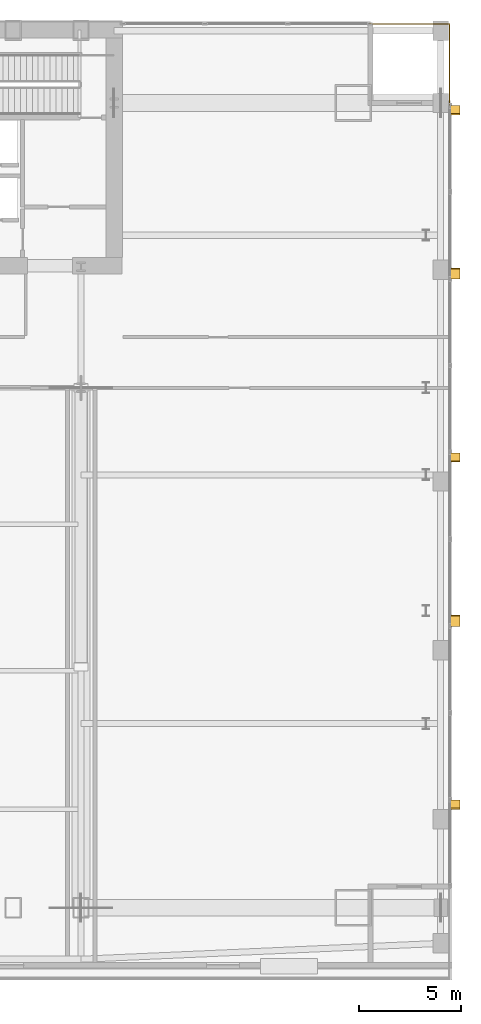
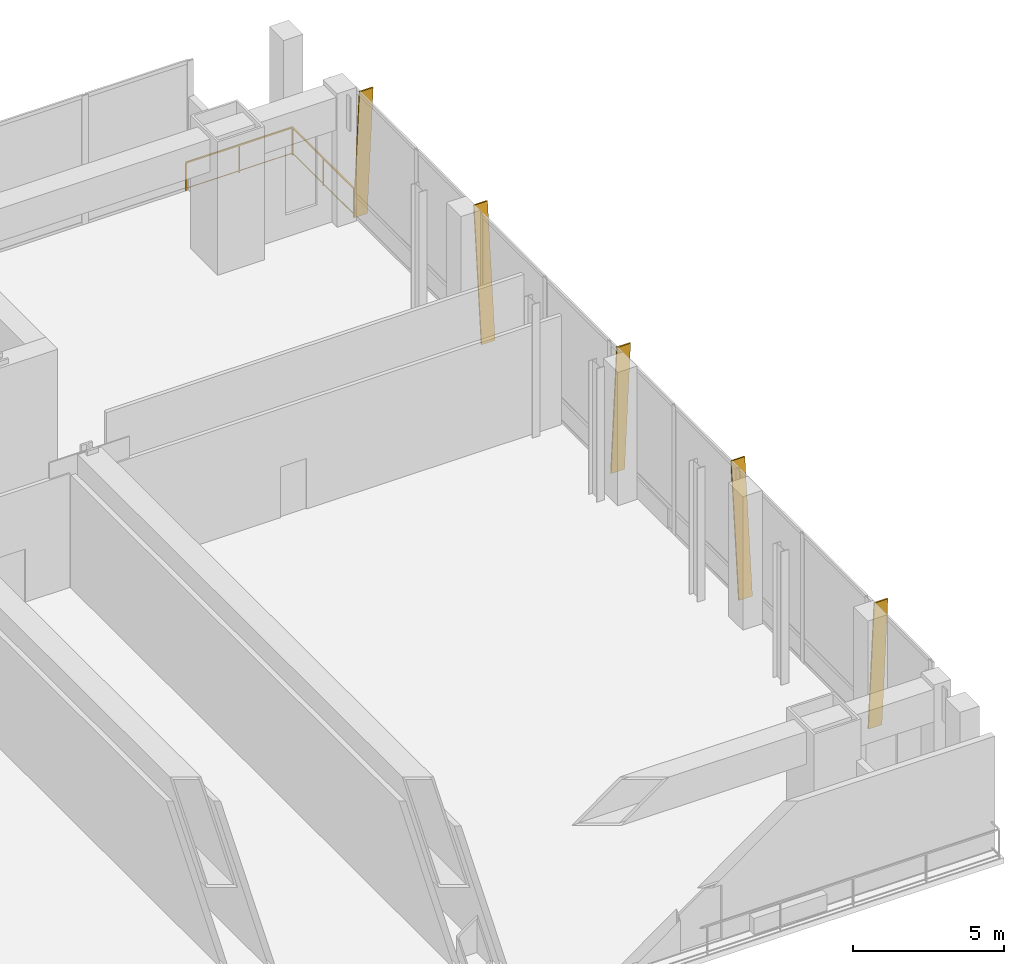
# One storey, part 26 of 26: 5 shading devices, 1 railing.
"""IFC4 building model written with IfcOpenShell, lengths in metres."""

from ifc_helpers import new_model, si_unit, direction, frame, origin, origin_2d, place, context, subcontext, project, spatial, polyline, rectangle, outline, extrude, material, layer, layer_set, type_object, element, save


model = new_model("IFC4")

# Units and contexts
model_context = context("Model", 3, precision=1e-05, world=origin(), true_north=direction((0.0, 1.0)))
body_context = subcontext(model_context, "Body", "Model", "MODEL_VIEW")
ifc_project = project(units=[si_unit("LENGTHUNIT", "METRE"), si_unit("AREAUNIT", "SQUARE_METRE"), si_unit("VOLUMEUNIT", "CUBIC_METRE"), si_unit("PLANEANGLEUNIT", "RADIAN"), si_unit("MASSUNIT", "GRAM", prefix="KILO")], contexts=[model_context])

# Site, building, storey
site_placement = place(None, origin())
site = spatial("IfcSite", under=ifc_project, at=site_placement, CompositionType="ELEMENT")
building_placement = place(site_placement, origin())
building = spatial("IfcBuilding", under=site, at=building_placement, Name="Khoronbel Lancet Exchange", CompositionType="ELEMENT")
storey_placement = place(building_placement, frame((0.0, 0.0, 20.39990234375)))
storey = spatial("IfcBuildingStorey", under=building, at=storey_placement, Name="L04", CompositionType="ELEMENT", Elevation=20.39990234375)

# Railing
ifc_material_1 = material(Name="Bronze-Anodised Stainless Steel", Category="steel")
railing_type = type_object("IfcRailingType", Name="RL-EXT115", PredefinedType="GUARDRAIL", material=ifc_material_1)
railing_placement = place(storey_placement, frame((68.699951171875, 53.580078125, 0.0)))
element("IfcRailing", 1, at=railing_placement, inside=storey, type_object=railing_type, Name="Level L04 north-east colonnade corner loggia guardrail", PredefinedType="GUARDRAIL", context=body_context, shape_type="SweptSolid", body=[
    extrude(rectangle(XDim=0.052001953125, YDim=0.052001953125, at=origin_2d()), frame((0.0, 0.0, 1.1240234375), z_axis=(1.0, 0.0, 0.0), x_axis=(0.0, 1.0, 0.0)), (0.0, 0.0, 1.0), 4.080078125),
    extrude(rectangle(XDim=0.02587890625, YDim=0.02587890625, at=origin_2d()), frame((0.0, 0.0, 0.080078125), z_axis=(1.0, 0.0, 0.0), x_axis=(0.0, 1.0, 0.0)), (0.0, 0.0, 1.0), 4.080078125),
    extrude(rectangle(XDim=0.052001953125, YDim=0.052001953125, at=origin_2d()), frame((4.080078125, 0.0, 1.1240234375), z_axis=(0.0, -1.0, 0.0), x_axis=(1.0, 0.0, 0.0)), (0.0, 0.0, 1.0), 4.080078125),
    extrude(rectangle(XDim=0.02587890625, YDim=0.02587890625, at=origin_2d()), frame((4.080078125, 0.0, 0.080078125), z_axis=(0.0, -1.0, 0.0), x_axis=(1.0, 0.0, 0.0)), (0.0, 0.0, 1.0), 4.080078125),
    extrude(rectangle(XDim=0.0419921875, YDim=0.0419921875, at=origin_2d()), origin(), (0.0, 0.0, 1.0), 1.097900390625),
    extrude(rectangle(XDim=0.0419921875, YDim=0.0419921875, at=origin_2d()), frame((2.0400390625, 0.0, 0.0)), (0.0, 0.0, 1.0), 1.097900390625),
    extrude(rectangle(XDim=0.0419921875, YDim=0.0419921875, at=origin_2d()), frame((4.080078125, 0.0, 0.0)), (0.0, 0.0, 1.0), 1.097900390625),
    extrude(rectangle(XDim=0.0419921875, YDim=0.0419921875, at=origin_2d()), frame((4.080078125, -2.0400390625, 0.0)), (0.0, 0.0, 1.0), 1.097900390625),
    extrude(rectangle(XDim=0.0419921875, YDim=0.0419921875, at=origin_2d()), frame((4.080078125, -4.080078125, 0.0)), (0.0, 0.0, 1.0), 1.097900390625),
])

# Shading devices
ifc_material_2 = material(Name="Bronze-Anodised Aluminium 6063-T6", Category="aluminium")
ifc_layer = layer(ifc_material_2, 0.054931640625, Name="Bronze-Anodised Aluminium 6063-T6")
ifc_layer_set = layer_set([ifc_layer], Name="Bronze-Anodised Aluminium 6063-T6")
shading_device_type = type_object("IfcShadingDeviceType", Name="SHD-FIN1", PredefinedType="USERDEFINED", material=ifc_layer_set)
shading_device_1_placement = place(storey_placement, frame((72.780029296875, 15.439208984375, -0.079833984375), z_axis=(0.0, 0.997274965432, 0.073774272772), x_axis=(1.0, 0.0, 0.0)))
element("IfcShadingDevice", 2, at=shading_device_1_placement, inside=storey, type_object=shading_device_type, Name="Slanted bronze solar fin CW-L04-EAST-1", ObjectType="FIN", PredefinedType="USERDEFINED", context=body_context, shape_type="SweptSolid", body=[
    extrude(outline(polyline([(0.0, 0.0), (0.52001953125, 0.0), (0.52001953125, -5.3544921875), (0.0, -5.3544921875), (0.0, 0.0)])), origin(), (0.0, 0.0, -1.0), 0.054931640625),
])
shading_device_2_placement = place(storey_placement, frame((72.780029296875, 23.972412109375, -0.079833984375), z_axis=(0.0, -0.995555619776, 0.094175410448), x_axis=(1.0, 0.0, 0.0)))
element("IfcShadingDevice", 3, at=shading_device_2_placement, inside=storey, type_object=shading_device_type, Name="Slanted bronze solar fin CW-L04-EAST-3", ObjectType="FIN", PredefinedType="USERDEFINED", context=body_context, shape_type="SweptSolid", body=[
    extrude(outline(polyline([(0.0, 0.0), (0.52001953125, 0.0), (0.52001953125, 5.36376953125), (0.0, 5.36376953125), (0.0, 0.0)])), origin(), (0.0, 0.0, -1.0), 0.054931640625),
])
shading_device_3_placement = place(storey_placement, frame((72.780029296875, 32.505859375, -0.079833984375), z_axis=(0.0, 0.997274965432, 0.073774272772), x_axis=(1.0, 0.0, 0.0)))
element("IfcShadingDevice", 4, at=shading_device_3_placement, inside=storey, type_object=shading_device_type, Name="Slanted bronze solar fin CW-L04-EAST-5", ObjectType="FIN", PredefinedType="USERDEFINED", context=body_context, shape_type="SweptSolid", body=[
    extrude(outline(polyline([(0.0, 0.0), (0.52001953125, 0.0), (0.52001953125, -5.3544921875), (0.0, -5.3544921875), (0.0, 0.0)])), origin(), (0.0, 0.0, -1.0), 0.054931640625),
])
shading_device_4_placement = place(storey_placement, frame((72.780029296875, 41.039306640625, -0.079833984375), z_axis=(0.0, -0.995559886336, 0.094130296495), x_axis=(1.0, 0.0, 0.0)))
element("IfcShadingDevice", 5, at=shading_device_4_placement, inside=storey, type_object=shading_device_type, Name="Slanted bronze solar fin CW-L04-EAST-7", ObjectType="FIN", PredefinedType="USERDEFINED", context=body_context, shape_type="SweptSolid", body=[
    extrude(outline(polyline([(0.0, 0.0), (0.52001953125, 0.0), (0.52001953125, 5.36376953125), (0.0, 5.36376953125), (0.0, 0.0)])), origin(), (0.0, 0.0, -1.0), 0.054931640625),
])
shading_device_5_placement = place(storey_placement, frame((72.780029296875, 49.572509765625, -0.079833984375), z_axis=(0.0, 0.997274965432, 0.073774272772), x_axis=(1.0, 0.0, 0.0)))
element("IfcShadingDevice", 6, at=shading_device_5_placement, inside=storey, type_object=shading_device_type, Name="Slanted bronze solar fin CW-L04-EAST-9", ObjectType="FIN", PredefinedType="USERDEFINED", context=body_context, shape_type="SweptSolid", body=[
    extrude(outline(polyline([(0.0, 0.0), (0.52001953125, 0.0), (0.52001953125, -5.3544921875), (0.0, -5.3544921875), (0.0, 0.0)])), origin(), (0.0, 0.0, -1.0), 0.054931640625),
])

save(model, "model.ifc")
